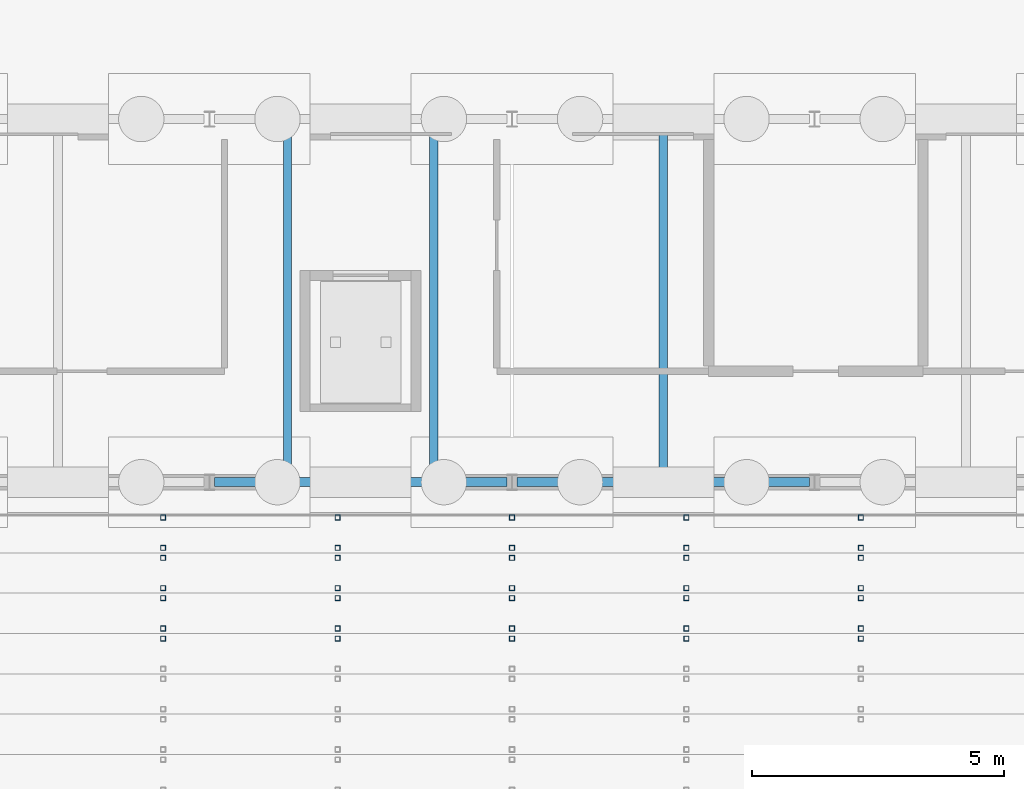
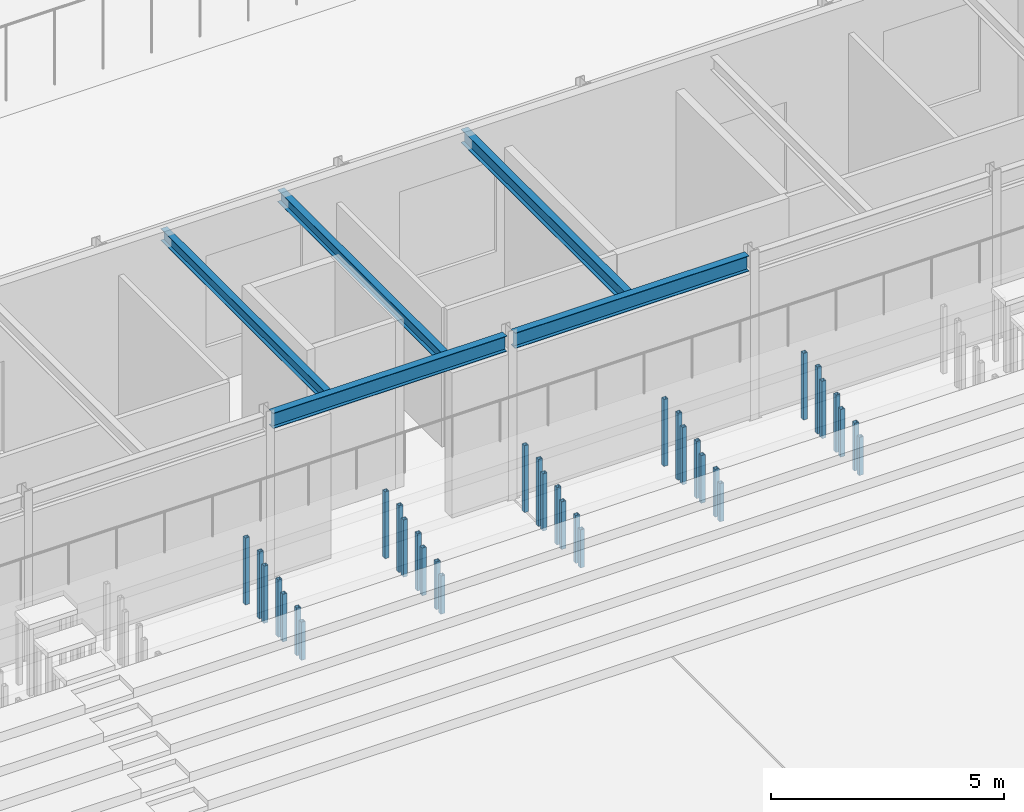
# One storey, part 57 of 139: 35 members, 5 beams.
"""IFC4 building model written with IfcOpenShell, lengths in metres."""

from ifc_helpers import new_model, si_unit, direction, frame, origin, origin_2d, place, context, subcontext, project, spatial, hollow_rectangle, i_section, extrude, material, material_profile, profile_set, type_object, element, save


model = new_model("IFC4")

# Units and contexts
model_context = context("Model", 3, precision=1e-05, world=origin(), true_north=direction((0.0, 1.0)))
body_context = subcontext(model_context, "Body", "Model", "MODEL_VIEW")
ifc_project = project(units=[si_unit("LENGTHUNIT", "METRE"), si_unit("AREAUNIT", "SQUARE_METRE"), si_unit("VOLUMEUNIT", "CUBIC_METRE"), si_unit("PLANEANGLEUNIT", "RADIAN"), si_unit("MASSUNIT", "GRAM", prefix="KILO")], contexts=[model_context])

# Site, building, storey
site_placement = place(None, origin())
site = spatial("IfcSite", under=ifc_project, at=site_placement, CompositionType="ELEMENT")
building_placement = place(site_placement, origin())
building = spatial("IfcBuilding", under=site, at=building_placement, Name="Verrick Yard Athletic Hall", CompositionType="ELEMENT")
storey_placement = place(building_placement, origin())
storey = spatial("IfcBuildingStorey", under=building, at=storey_placement, Name="L00", CompositionType="ELEMENT", Elevation=0.0)

# Beams
ifc_material_1 = material(Name="Structural steel 350W (CSA G40.21)", Category="steel")
ifc_material_profile_1 = material_profile(ifc_material_1, i_section(OverallWidth=0.177978515625, OverallDepth=0.406982421875, WebThickness=0.0078125, FlangeThickness=0.0126953125, at=origin_2d()), Name="W410x60")
ifc_profile_set_1 = profile_set([ifc_material_profile_1], Name="Structural steel 350W (CSA G40.21)")
beam_type_1 = type_object("IfcBeamType", Name="HB girder W410x60", PredefinedType="BEAM", material=ifc_profile_set_1)
for number, where, z_axis, x_axis, name in (
    (1, (139.702392578125, 100.800048828125, 4.04638671875), (1.0, 0.0, 0.0), (0.0, 1.0, 0.0), "HB-GB-A-L01-S4"),
    (2, (145.702392578125, 100.800048828125, 4.04638671875), (1.0, 0.0, 0.0), (0.0, 1.0, 0.0), "HB-GB-A-L01-S5"),
):
    element("IfcBeam", number, at=place(storey_placement, frame(where, z_axis=z_axis, x_axis=x_axis)), inside=storey, type_object=beam_type_1, Name=name, PredefinedType="BEAM", context=body_context, shape_type="SweptSolid", body=[
        extrude(i_section(OverallWidth=0.177978515625, OverallDepth=0.406982421875, WebThickness=0.0078125, FlangeThickness=0.0126953125, at=origin_2d()), origin(), (0.0, 0.0, 1.0), 5.795166015625),
    ])

# Members
ifc_material_2 = material(Name="Structural steel HSS Class C 350W (CSA G40.20/G40.21)", Category="steel")
ifc_material_profile_2 = material_profile(ifc_material_2, hollow_rectangle(XDim=0.1015625, YDim=0.1015625, WallThickness=0.00634765625, at=origin_2d()), Name="HSS102x102x6.4")
ifc_profile_set_2 = profile_set([ifc_material_profile_2], Name="Structural steel HSS Class C 350W (CSA G40.20/G40.21)")
member_type = type_object("IfcMemberType", Name="HB seating post HSS102x102x6.4", PredefinedType="POST", material=ifc_profile_set_2)
for number, where, z_axis, x_axis, name in (
    (3, (138.68359375, 97.699951171875, 0.0), (0.0, 0.0, 1.0), (0.0, 1.0, 0.0), "HB-SP-RSA1-T5b5"),
    (4, (142.141845703125, 97.699951171875, 0.0), (0.0, 0.0, 1.0), (0.0, 1.0, 0.0), "HB-SP-RSA1-T5b6"),
    (5, (145.60009765625, 97.699951171875, 0.0), (0.0, 0.0, 1.0), (0.0, 1.0, 0.0), "HB-SP-RSA1-T5b7"),
    (6, (149.05810546875, 97.699951171875, 0.0), (0.0, 0.0, 1.0), (0.0, 1.0, 0.0), "HB-SP-RSA1-T5b8"),
    (7, (152.516357421875, 97.699951171875, 0.0), (0.0, 0.0, 1.0), (0.0, 1.0, 0.0), "HB-SP-RSA1-T5b9"),
):
    element("IfcMember", number, at=place(storey_placement, frame(where, z_axis=z_axis, x_axis=x_axis)), inside=storey, type_object=member_type, Name=name, PredefinedType="POST", context=body_context, shape_type="SweptSolid", body=[
        extrude(hollow_rectangle(XDim=0.1015625, YDim=0.1015625, WallThickness=0.00634765625, at=origin_2d()), origin(), (0.0, 0.0, 1.0), 1.0),
    ])
for number, where, z_axis, x_axis, name in (
    (8, (138.68359375, 97.89990234375, 0.0), (0.0, 0.0, 1.0), (0.0, 1.0, 0.0), "HB-SP-RSA1-T6f5"),
    (9, (142.141845703125, 97.89990234375, 0.0), (0.0, 0.0, 1.0), (0.0, 1.0, 0.0), "HB-SP-RSA1-T6f6"),
    (10, (145.60009765625, 97.89990234375, 0.0), (0.0, 0.0, 1.0), (0.0, 1.0, 0.0), "HB-SP-RSA1-T6f7"),
    (11, (149.05810546875, 97.89990234375, 0.0), (0.0, 0.0, 1.0), (0.0, 1.0, 0.0), "HB-SP-RSA1-T6f8"),
    (12, (152.516357421875, 97.89990234375, 0.0), (0.0, 0.0, 1.0), (0.0, 1.0, 0.0), "HB-SP-RSA1-T6f9"),
    (13, (138.68359375, 98.5, 0.0), (0.0, 0.0, 1.0), (0.0, 1.0, 0.0), "HB-SP-RSA1-T6b5"),
    (14, (142.141845703125, 98.5, 0.0), (0.0, 0.0, 1.0), (0.0, 1.0, 0.0), "HB-SP-RSA1-T6b6"),
    (15, (145.60009765625, 98.5, 0.0), (0.0, 0.0, 1.0), (0.0, 1.0, 0.0), "HB-SP-RSA1-T6b7"),
    (16, (149.05810546875, 98.5, 0.0), (0.0, 0.0, 1.0), (0.0, 1.0, 0.0), "HB-SP-RSA1-T6b8"),
    (17, (152.516357421875, 98.5, 0.0), (0.0, 0.0, 1.0), (0.0, 1.0, 0.0), "HB-SP-RSA1-T6b9"),
):
    element("IfcMember", number, at=place(storey_placement, frame(where, z_axis=z_axis, x_axis=x_axis)), inside=storey, type_object=member_type, Name=name, PredefinedType="POST", context=body_context, shape_type="SweptSolid", body=[
        extrude(hollow_rectangle(XDim=0.1015625, YDim=0.1015625, WallThickness=0.00634765625, at=origin_2d()), origin(), (0.0, 0.0, 1.0), 1.25),
    ])
for number, where, z_axis, x_axis, name in (
    (18, (138.68359375, 98.699951171875, 0.0), (0.0, 0.0, 1.0), (0.0, 1.0, 0.0), "HB-SP-RSA1-T7f5"),
    (19, (142.141845703125, 98.699951171875, 0.0), (0.0, 0.0, 1.0), (0.0, 1.0, 0.0), "HB-SP-RSA1-T7f6"),
    (20, (145.60009765625, 98.699951171875, 0.0), (0.0, 0.0, 1.0), (0.0, 1.0, 0.0), "HB-SP-RSA1-T7f7"),
    (21, (149.05810546875, 98.699951171875, 0.0), (0.0, 0.0, 1.0), (0.0, 1.0, 0.0), "HB-SP-RSA1-T7f8"),
    (22, (152.516357421875, 98.699951171875, 0.0), (0.0, 0.0, 1.0), (0.0, 1.0, 0.0), "HB-SP-RSA1-T7f9"),
    (23, (138.68359375, 99.300048828125, 0.0), (0.0, 0.0, 1.0), (0.0, 1.0, 0.0), "HB-SP-RSA1-T7b5"),
    (24, (142.141845703125, 99.300048828125, 0.0), (0.0, 0.0, 1.0), (0.0, 1.0, 0.0), "HB-SP-RSA1-T7b6"),
    (25, (145.60009765625, 99.300048828125, 0.0), (0.0, 0.0, 1.0), (0.0, 1.0, 0.0), "HB-SP-RSA1-T7b7"),
    (26, (149.05810546875, 99.300048828125, 0.0), (0.0, 0.0, 1.0), (0.0, 1.0, 0.0), "HB-SP-RSA1-T7b8"),
    (27, (152.516357421875, 99.300048828125, 0.0), (0.0, 0.0, 1.0), (0.0, 1.0, 0.0), "HB-SP-RSA1-T7b9"),
):
    element("IfcMember", number, at=place(storey_placement, frame(where, z_axis=z_axis, x_axis=x_axis)), inside=storey, type_object=member_type, Name=name, PredefinedType="POST", context=body_context, shape_type="SweptSolid", body=[
        extrude(hollow_rectangle(XDim=0.1015625, YDim=0.1015625, WallThickness=0.00634765625, at=origin_2d()), origin(), (0.0, 0.0, 1.0), 1.5),
    ])
for number, where, z_axis, x_axis, name in (
    (28, (138.68359375, 99.5, 0.0), (0.0, 0.0, 1.0), (0.0, 1.0, 0.0), "HB-SP-RSA1-T8f5"),
    (29, (142.141845703125, 99.5, 0.0), (0.0, 0.0, 1.0), (0.0, 1.0, 0.0), "HB-SP-RSA1-T8f6"),
    (30, (145.60009765625, 99.5, 0.0), (0.0, 0.0, 1.0), (0.0, 1.0, 0.0), "HB-SP-RSA1-T8f7"),
    (31, (149.05810546875, 99.5, 0.0), (0.0, 0.0, 1.0), (0.0, 1.0, 0.0), "HB-SP-RSA1-T8f8"),
    (32, (152.516357421875, 99.5, 0.0), (0.0, 0.0, 1.0), (0.0, 1.0, 0.0), "HB-SP-RSA1-T8f9"),
    (33, (138.68359375, 100.10009765625, 0.0), (0.0, 0.0, 1.0), (0.0, 1.0, 0.0), "HB-SP-RSA1-T8b5"),
    (34, (142.141845703125, 100.10009765625, 0.0), (0.0, 0.0, 1.0), (0.0, 1.0, 0.0), "HB-SP-RSA1-T8b6"),
    (35, (145.60009765625, 100.10009765625, 0.0), (0.0, 0.0, 1.0), (0.0, 1.0, 0.0), "HB-SP-RSA1-T8b7"),
    (36, (149.05810546875, 100.10009765625, 0.0), (0.0, 0.0, 1.0), (0.0, 1.0, 0.0), "HB-SP-RSA1-T8b8"),
    (37, (152.516357421875, 100.10009765625, 0.0), (0.0, 0.0, 1.0), (0.0, 1.0, 0.0), "HB-SP-RSA1-T8b9"),
):
    element("IfcMember", number, at=place(storey_placement, frame(where, z_axis=z_axis, x_axis=x_axis)), inside=storey, type_object=member_type, Name=name, PredefinedType="POST", context=body_context, shape_type="SweptSolid", body=[
        extrude(hollow_rectangle(XDim=0.1015625, YDim=0.1015625, WallThickness=0.00634765625, at=origin_2d()), origin(), (0.0, 0.0, 1.0), 1.75),
    ])

# Beams
ifc_material_profile_3 = material_profile(ifc_material_1, i_section(OverallWidth=0.1708984375, OverallDepth=0.35498046875, WebThickness=0.007080078125, FlangeThickness=0.01171875, at=origin_2d()), Name="W360x51")
ifc_profile_set_3 = profile_set([ifc_material_profile_3], Name="Structural steel 350W (CSA G40.21)")
beam_type_2 = type_object("IfcBeamType", Name="HB secondary beam W360x51", PredefinedType="JOIST", material=ifc_profile_set_3)
beam_placement = place(storey_placement, frame((148.60009765625, 100.888916015625, 4.072509765625), z_axis=(0.0, 1.0, 0.0), x_axis=(-1.0, 0.0, 0.0)))
element("IfcBeam", 38, at=beam_placement, inside=storey, type_object=beam_type_2, Name="HB-SB-A-L01-5", PredefinedType="JOIST", context=body_context, shape_type="SweptSolid", body=[
    extrude(i_section(OverallWidth=0.1708984375, OverallDepth=0.35498046875, WebThickness=0.007080078125, FlangeThickness=0.01171875, at=origin_2d()), origin(), (0.0, 0.0, 1.0), 7.02197265625),
])
ifc_material_profile_4 = material_profile(ifc_material_1, i_section(OverallWidth=0.1650390625, OverallDepth=0.31005859375, WebThickness=0.005859375, FlangeThickness=0.009765625, at=origin_2d()), Name="W310x39")
ifc_profile_set_4 = profile_set([ifc_material_profile_4], Name="Structural steel 350W (CSA G40.21)")
beam_type_3 = type_object("IfcBeamType", Name="HB trimmer beam W310x39", PredefinedType="BEAM", material=ifc_profile_set_4)
for number, where, z_axis, x_axis, name in (
    (39, (141.14990234375, 100.888916015625, 4.094970703125), (0.0, 1.0, 0.0), (-1.0, 0.0, 0.0), "HB-TB-A-3a"),
    (40, (144.050048828125, 100.888916015625, 4.094970703125), (0.0, 1.0, 0.0), (-1.0, 0.0, 0.0), "HB-TB-A-3b"),
):
    element("IfcBeam", number, at=place(storey_placement, frame(where, z_axis=z_axis, x_axis=x_axis)), inside=storey, type_object=beam_type_3, Name=name, PredefinedType="BEAM", context=body_context, shape_type="SweptSolid", body=[
        extrude(i_section(OverallWidth=0.1650390625, OverallDepth=0.31005859375, WebThickness=0.005859375, FlangeThickness=0.009765625, at=origin_2d()), origin(), (0.0, 0.0, 1.0), 7.02197265625),
    ])

save(model, "model.ifc")
